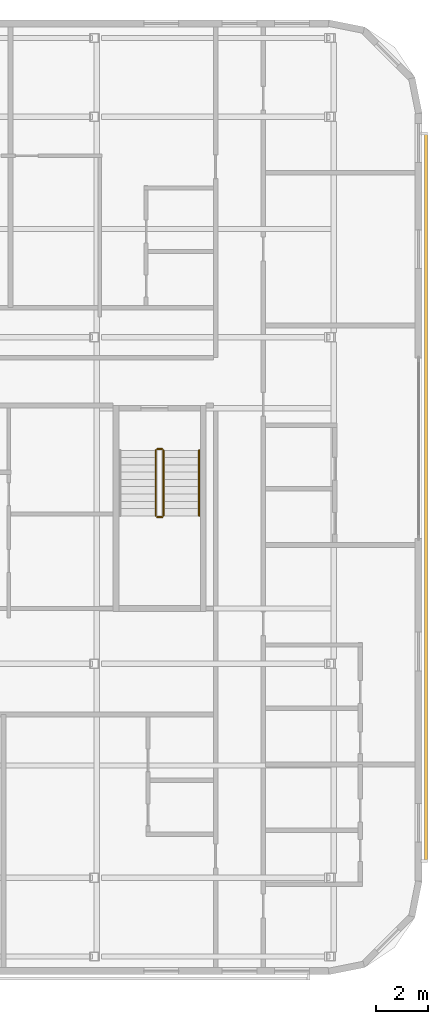
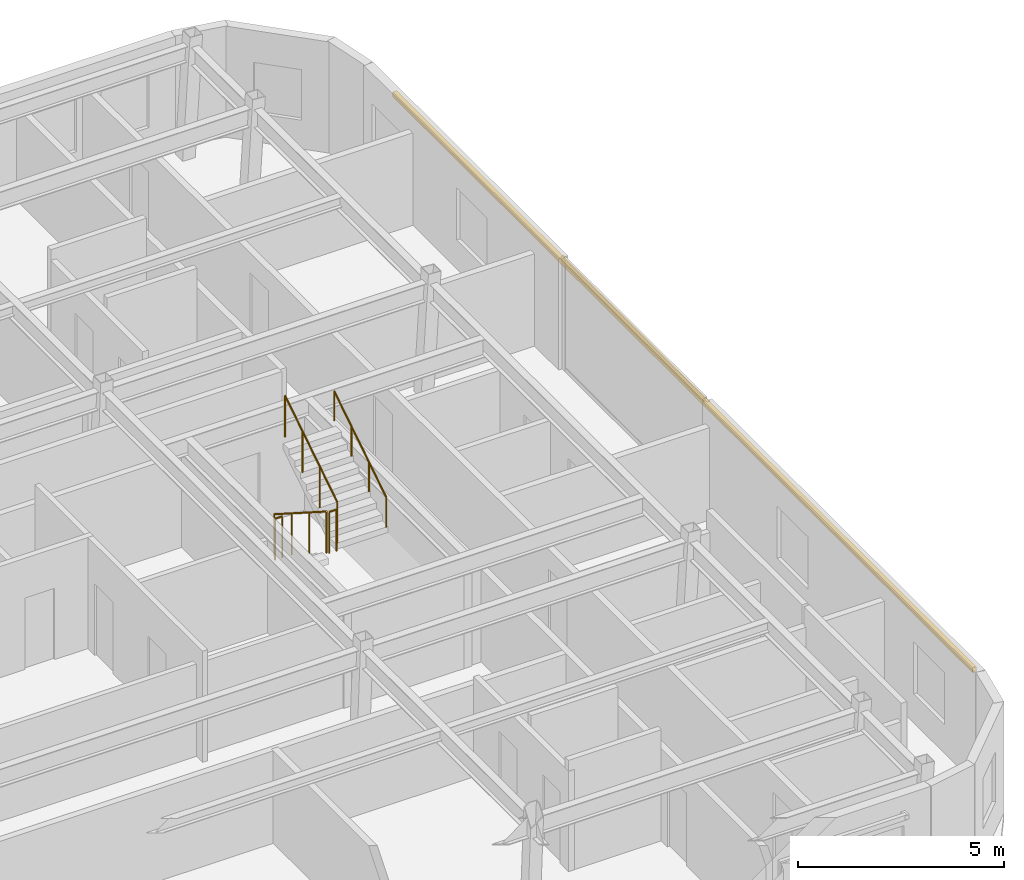
# One storey, part 10 of 11: 5 railings, 1 shading device.
"""IFC4 building model written with IfcOpenShell, lengths in metres."""

from ifc_helpers import new_model, si_unit, direction, frame, origin, origin_2d, place, context, subcontext, project, spatial, rectangle, circle, extrude, material, material_profile, profile_set, type_object, element, save


model = new_model("IFC4")

# Units and contexts
model_context = context("Model", 3, precision=1e-05, world=origin(), true_north=direction((0.0, 1.0)))
body_context = subcontext(model_context, "Body", "Model", "MODEL_VIEW")
ifc_project = project(units=[si_unit("LENGTHUNIT", "METRE"), si_unit("AREAUNIT", "SQUARE_METRE"), si_unit("VOLUMEUNIT", "CUBIC_METRE"), si_unit("PLANEANGLEUNIT", "RADIAN"), si_unit("MASSUNIT", "GRAM", prefix="KILO")], contexts=[model_context])

# Site, building, storey
site_placement = place(None, origin())
site = spatial("IfcSite", under=ifc_project, at=site_placement, CompositionType="ELEMENT")
building_placement = place(site_placement, origin())
building = spatial("IfcBuilding", under=site, at=building_placement, Name="Ochreholt Gables", CompositionType="ELEMENT")
storey_placement = place(building_placement, frame((0.0, 0.0, 278.39990234375)))
storey = spatial("IfcBuildingStorey", under=building, at=storey_placement, Name="L73", CompositionType="ELEMENT", Elevation=278.39990234375)

# Railings
ifc_material_1 = material(Name="Painted Steel Stair Guardrail", Category="steel")
railing_type_1 = type_object("IfcRailingType", Name="RL-ST-GUARD", PredefinedType="GUARDRAIL", material=ifc_material_1)
railing_1_placement = place(storey_placement, frame((52.080078125, 25.820068359375, 0.18017578125)))
element("IfcRailing", 1, at=railing_1_placement, inside=storey, type_object=railing_type_1, Name="L73 ST-C7 stair guard 1", PredefinedType="GUARDRAIL", context=body_context, shape_type="SweptSolid", body=[
    extrude(circle(Radius=0.02392578125, at=origin_2d()), frame((0.0, 0.0, 1.22607421875), z_axis=(0.0, -0.842949592929, 0.537992549931), x_axis=(1.0, 0.0, 0.0)), (0.0, 0.0, 1.0), 3.010986328125),
    extrude(circle(Radius=0.02099609375, at=origin_2d()), origin(), (0.0, 0.0, 1.0), 1.201904296875),
    extrude(circle(Radius=0.02099609375, at=origin_2d()), frame((0.0, -0.845947265625, 0.5400390625)), (0.0, 0.0, 1.0), 1.201904296875),
    extrude(circle(Radius=0.02099609375, at=origin_2d()), frame((0.0, -1.692138671875, 1.079833984375)), (0.0, 0.0, 1.0), 1.201904296875),
    extrude(circle(Radius=0.02099609375, at=origin_2d()), frame((0.0, -2.5380859375, 1.619873046875)), (0.0, 0.0, 1.0), 1.201904296875),
])
railing_2_placement = place(storey_placement, frame((52.1298828125, 23.23193359375, 1.800048828125)))
element("IfcRailing", 2, at=railing_2_placement, inside=storey, type_object=railing_type_1, Name="L73 ST-C7 stair guard 2", PredefinedType="GUARDRAIL", context=body_context, shape_type="SweptSolid", body=[
    extrude(circle(Radius=0.02392578125, at=origin_2d()), frame((0.0, 0.0, 1.22607421875), z_axis=(1.0, 0.0, 0.0), x_axis=(0.0, 1.0, 0.0)), (0.0, 0.0, 1.0), 0.2001953125),
    extrude(circle(Radius=0.02099609375, at=origin_2d()), origin(), (0.0, 0.0, 1.0), 1.201904296875),
    extrude(circle(Radius=0.02099609375, at=origin_2d()), frame((0.2001953125, 0.0, 0.0)), (0.0, 0.0, 1.0), 1.201904296875),
])
railing_3_placement = place(storey_placement, frame((52.3798828125, 23.281982421875, 1.97998046875)))
element("IfcRailing", 3, at=railing_3_placement, inside=storey, type_object=railing_type_1, Name="L73 ST-C7 stair guard 3", PredefinedType="GUARDRAIL", context=body_context, shape_type="SweptSolid", body=[
    extrude(circle(Radius=0.02392578125, at=origin_2d()), frame((0.0, 0.0, 1.22607421875), z_axis=(0.0, 0.842912820907, 0.538050161556), x_axis=(-1.0, 0.0, 0.0)), (0.0, 0.0, 1.0), 3.010986328125),
    extrude(circle(Radius=0.02099609375, at=origin_2d()), origin(), (0.0, 0.0, 1.0), 1.201904296875),
    extrude(circle(Radius=0.02099609375, at=origin_2d()), frame((0.0, 0.845947265625, 0.5400390625)), (0.0, 0.0, 1.0), 1.201904296875),
    extrude(circle(Radius=0.02099609375, at=origin_2d()), frame((0.0, 1.692138671875, 1.080078125)), (0.0, 0.0, 1.0), 1.201904296875),
    extrude(circle(Radius=0.02099609375, at=origin_2d()), frame((0.0, 2.5380859375, 1.6201171875)), (0.0, 0.0, 1.0), 1.201904296875),
])
railing_4_placement = place(storey_placement, frame((52.1298828125, 25.8701171875, 0.0)))
element("IfcRailing", 4, at=railing_4_placement, inside=storey, type_object=railing_type_1, Name="L73 ST-C7 stair guard 4", PredefinedType="GUARDRAIL", context=body_context, shape_type="SweptSolid", body=[
    extrude(circle(Radius=0.02392578125, at=origin_2d()), frame((0.0, 0.0, 1.22607421875), z_axis=(1.0, 0.0, 0.0), x_axis=(0.0, 1.0, 0.0)), (0.0, 0.0, 1.0), 0.2001953125),
    extrude(circle(Radius=0.02099609375, at=origin_2d()), origin(), (0.0, 0.0, 1.0), 1.201904296875),
    extrude(circle(Radius=0.02099609375, at=origin_2d()), frame((0.2001953125, 0.0, 0.0)), (0.0, 0.0, 1.0), 1.201904296875),
])
ifc_material_2 = material(Name="Brushed Stainless Steel Wall Handrail", Category="steel")
railing_type_2 = type_object("IfcRailingType", Name="RL-ST-HAND", PredefinedType="HANDRAIL", material=ifc_material_2)
railing_5_placement = place(storey_placement, frame((53.760009765625, 23.281982421875, 1.97998046875)))
element("IfcRailing", 5, at=railing_5_placement, inside=storey, type_object=railing_type_2, Name="L73 ST-C7 stair handrail 2", PredefinedType="HANDRAIL", context=body_context, shape_type="SweptSolid", body=[
    extrude(circle(Radius=0.02392578125, at=origin_2d()), frame((0.0, 0.0, 0.8759765625), z_axis=(0.0, 0.842912820907, 0.538050161556), x_axis=(-1.0, 0.0, 0.0)), (0.0, 0.0, 1.0), 3.010986328125),
    extrude(circle(Radius=0.02099609375, at=origin_2d()), origin(), (0.0, 0.0, 1.0), 0.851806640625),
    extrude(circle(Radius=0.02099609375, at=origin_2d()), frame((0.0, 0.845947265625, 0.5400390625)), (0.0, 0.0, 1.0), 0.851806640625),
    extrude(circle(Radius=0.02099609375, at=origin_2d()), frame((0.0, 1.692138671875, 1.080078125)), (0.0, 0.0, 1.0), 0.851806640625),
    extrude(circle(Radius=0.02099609375, at=origin_2d()), frame((0.0, 2.5380859375, 1.6201171875)), (0.0, 0.0, 1.0), 0.851806640625),
])

# Shading device
ifc_material_3 = material(Name="Warm Ochre Glazed Terracotta Baguette", Category="masonry")
ifc_material_profile = material_profile(ifc_material_3, rectangle(XDim=0.110107421875, YDim=0.14990234375, at=origin_2d()), Name="TCBAG110X150")
ifc_profile_set = profile_set([ifc_material_profile], Name="Warm Ochre Glazed Terracotta Baguette")
shading_device_type = type_object("IfcShadingDeviceType", Name="SHD-BAGUETTE", PredefinedType="USERDEFINED", material=ifc_profile_set)
shading_device_placement = place(storey_placement, frame((62.550048828125, 9.89990234375, 2.780029296875), z_axis=(0.0, 1.0, 0.0), x_axis=(-1.0, 0.0, 0.0)))
element("IfcShadingDevice", 6, at=shading_device_placement, inside=storey, type_object=shading_device_type, Name="L73 Terracotta Baguette Screen E-1", ObjectType="BAGUETTE", PredefinedType="USERDEFINED", context=body_context, shape_type="SweptSolid", body=[
    extrude(rectangle(XDim=0.110107421875, YDim=0.14990234375, at=origin_2d()), origin(), (0.0, 0.0, 1.0), 28.2001953125),
])

save(model, "model.ifc")
